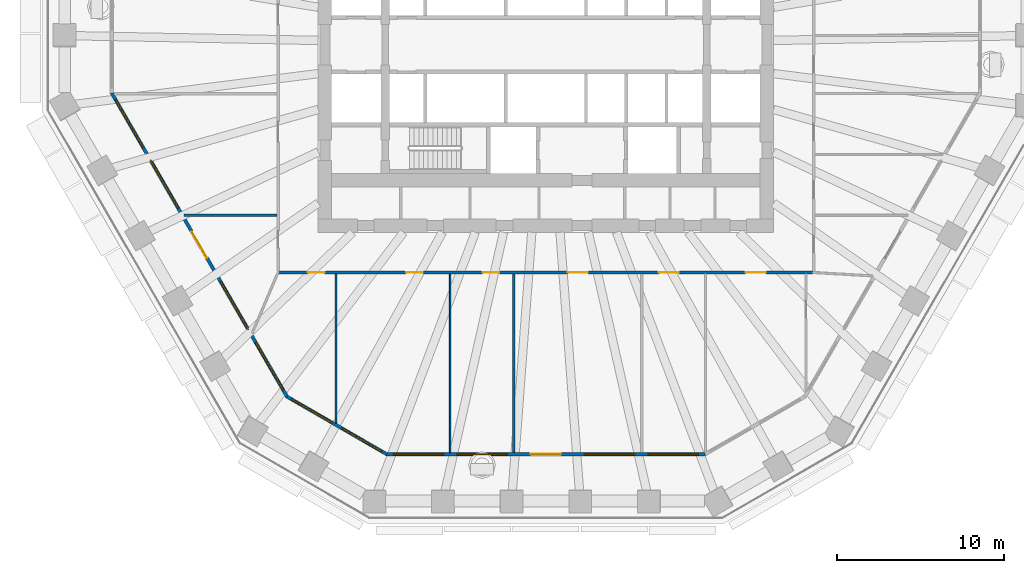
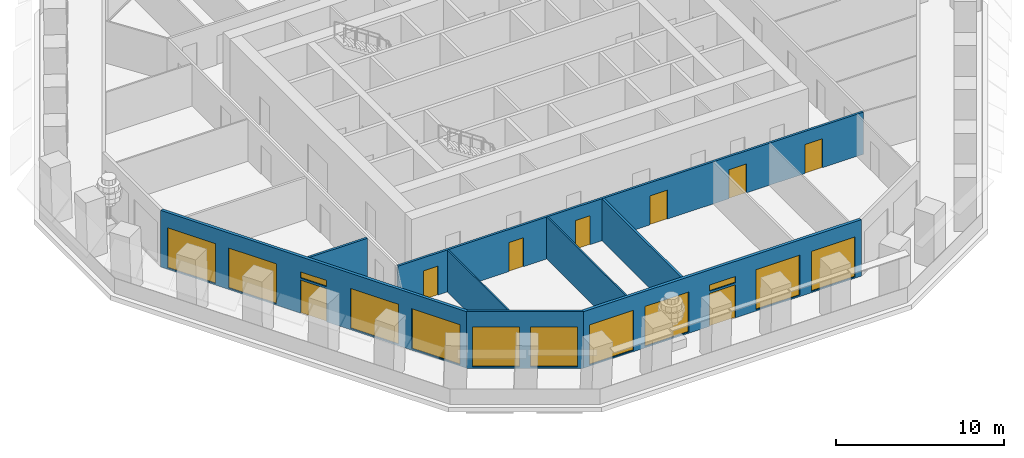
# One storey, part 3 of 13: 12 windows, 8 doors, 8 walls, 20 openings.
"""IFC4 building model written with IfcOpenShell, lengths in metres."""

from ifc_helpers import new_model, si_unit, direction, frame, frame_2d, origin, place, context, subcontext, project, spatial, polyline, rectangle, outline, extrude, material, layer, layer_set, type_object, element, fill, save


model = new_model("IFC4")

# Units and contexts
model_context = context("Model", 3, precision=1e-05, world=origin(), true_north=direction((0.0, 1.0)))
body_context = subcontext(model_context, "Body", "Model", "MODEL_VIEW")
ifc_project = project(units=[si_unit("LENGTHUNIT", "METRE"), si_unit("AREAUNIT", "SQUARE_METRE"), si_unit("VOLUMEUNIT", "CUBIC_METRE"), si_unit("PLANEANGLEUNIT", "RADIAN"), si_unit("MASSUNIT", "GRAM", prefix="KILO")], contexts=[model_context])

# Site, building, storey
site_placement = place(None, origin())
site = spatial("IfcSite", under=ifc_project, at=site_placement, CompositionType="ELEMENT")
building_placement = place(site_placement, origin())
building = spatial("IfcBuilding", under=site, at=building_placement, Name="Frailejon Research Tower", CompositionType="ELEMENT")
storey_placement = place(building_placement, frame((0.0, 0.0, 98.39990234375)))
storey = spatial("IfcBuildingStorey", under=building, at=storey_placement, Name="L21", CompositionType="ELEMENT", Elevation=98.39990234375)

# Wall, openings, doors
ifc_material_1 = material(Name="Gypsum board and masonry partition", Category="masonry")
ifc_layer_1 = layer(ifc_material_1, 0.14990234375)
ifc_layer_set_1 = layer_set([ifc_layer_1], Name="Corridor wall EI 60, gypsum on steel studs 150")
wall_type_1 = type_object("IfcWallType", Name="Corridor wall EI 60, gypsum on steel studs 150", PredefinedType="PARTITIONING", material=ifc_layer_set_1)
wall_1_placement = place(storey_placement, frame((-15.949951171875, -13.60009765625, 0.0), z_axis=(0.0, 0.0, 1.0), x_axis=(1.0, 0.0, 0.0)))
wall_1 = element("IfcWall", 1, at=wall_1_placement, inside=storey, type_object=wall_type_1, Name="T:IW:L21:004", PredefinedType="PARTITIONING", context=body_context, shape_type="SweptSolid", body=[
    extrude(rectangle(XDim=31.89990234375, YDim=0.14990234375, at=frame_2d((15.949951171875, 0.0))), origin(), (0.0, 0.0, 1.0), 3.050048828125),
])
opening_1_placement = place(wall_1_placement, frame((1.73779296875, 0.0, 0.0)))
opening_1 = element("IfcOpeningElement", 2, at=opening_1_placement, cuts=wall_1, Name="Opening D1564", PredefinedType="OPENING", context=body_context, shape_type="SweptSolid", body=[
    extrude(rectangle(XDim=1.0, YDim=2.10009765625, at=frame_2d((0.5, 1.050048828125))), frame((0.0, 0.0849609375, 0.0), z_axis=(0.0, -1.0, 0.0), x_axis=(1.0, 0.0, 0.0)), (0.0, 0.0, 1.0), 0.169921875),
])
opening_2_placement = place(wall_1_placement, frame((7.59912109375, 0.0, 0.0)))
opening_2 = element("IfcOpeningElement", 3, at=opening_2_placement, cuts=wall_1, Name="Opening D1565", PredefinedType="OPENING", context=body_context, shape_type="SweptSolid", body=[
    extrude(rectangle(XDim=1.0, YDim=2.10009765625, at=frame_2d((0.5, 1.050048828125))), frame((0.0, 0.0849609375, 0.0), z_axis=(0.0, -1.0, 0.0), x_axis=(1.0, 0.0, 0.0)), (0.0, 0.0, 1.0), 0.169921875),
])
opening_3_placement = place(wall_1_placement, frame((12.163818359375, 0.0, 0.0)))
opening_3 = element("IfcOpeningElement", 4, at=opening_3_placement, cuts=wall_1, Name="Opening D1566", PredefinedType="OPENING", context=body_context, shape_type="SweptSolid", body=[
    extrude(rectangle(XDim=1.0, YDim=2.10009765625, at=frame_2d((0.5, 1.050048828125))), frame((0.0, 0.0849609375, 0.0), z_axis=(0.0, -1.0, 0.0), x_axis=(1.0, 0.0, 0.0)), (0.0, 0.0, 1.0), 0.169921875),
])
opening_4_placement = place(wall_1_placement, frame((17.25732421875, 0.0, 0.0)))
opening_4 = element("IfcOpeningElement", 5, at=opening_4_placement, cuts=wall_1, Name="Opening D1567", PredefinedType="OPENING", context=body_context, shape_type="SweptSolid", body=[
    extrude(rectangle(XDim=1.199951171875, YDim=2.10009765625, at=frame_2d((0.60009765625, 1.050048828125))), frame((0.0, 0.0849609375, 0.0), z_axis=(0.0, -1.0, 0.0), x_axis=(1.0, 0.0, 0.0)), (0.0, 0.0, 1.0), 0.169921875),
])
opening_5_placement = place(wall_1_placement, frame((22.6923828125, 0.0, 0.0)))
opening_5 = element("IfcOpeningElement", 6, at=opening_5_placement, cuts=wall_1, Name="Opening D1568", PredefinedType="OPENING", context=body_context, shape_type="SweptSolid", body=[
    extrude(rectangle(XDim=1.199951171875, YDim=2.10009765625, at=frame_2d((0.60009765625, 1.050048828125))), frame((0.0, 0.0849609375, 0.0), z_axis=(0.0, -1.0, 0.0), x_axis=(1.0, 0.0, 0.0)), (0.0, 0.0, 1.0), 0.169921875),
])
opening_6_placement = place(wall_1_placement, frame((27.88720703125, 0.0, 0.0)))
opening_6 = element("IfcOpeningElement", 7, at=opening_6_placement, cuts=wall_1, Name="Opening D1569", PredefinedType="OPENING", context=body_context, shape_type="SweptSolid", body=[
    extrude(rectangle(XDim=1.199951171875, YDim=2.10009765625, at=frame_2d((0.60009765625, 1.050048828125))), frame((0.0, 0.0849609375, 0.0), z_axis=(0.0, -1.0, 0.0), x_axis=(1.0, 0.0, 0.0)), (0.0, 0.0, 1.0), 0.169921875),
])
ifc_material_2 = material(Name="Timber door leaf", Category="wood")
door_type_1 = type_object("IfcDoorType", Name="Door laboratory, timber, vision panel 1200", OperationType="NOTDEFINED", PredefinedType="DOOR", material=ifc_material_2)
door_1_placement = place(opening_4_placement, origin())
door_1 = element("IfcDoor", 8, at=door_1_placement, inside=storey, type_object=door_type_1, Name="D1567", OperationType="DOUBLE_DOOR_SINGLE_SWING", OverallHeight=2.10009765625, OverallWidth=1.199951171875, PredefinedType="DOOR", context=body_context, shape_type="SweptSolid", body=[
    extrude(rectangle(XDim=1.199951171875, YDim=2.10009765625, at=frame_2d((0.60009765625, 1.050048828125))), frame((0.0, 0.02490234375, 0.0), z_axis=(0.0, -1.0, 0.0), x_axis=(1.0, 0.0, 0.0)), (0.0, 0.0, 1.0), 0.050048828125),
])
fill(opening_4, door_1)
ifc_material_3 = material(Name="Timber door leaf", Category="wood")
door_type_2 = type_object("IfcDoorType", Name="Door single leaf, timber, steel frame 1000", OperationType="NOTDEFINED", PredefinedType="DOOR", material=ifc_material_3)
door_2_placement = place(opening_1_placement, origin())
door_2 = element("IfcDoor", 9, at=door_2_placement, inside=storey, type_object=door_type_2, Name="D1564", OperationType="SINGLE_SWING_LEFT", OverallHeight=2.10009765625, OverallWidth=1.0, PredefinedType="DOOR", context=body_context, shape_type="SweptSolid", body=[
    extrude(rectangle(XDim=1.0, YDim=2.10009765625, at=frame_2d((0.5, 1.050048828125))), frame((0.0, 0.02490234375, 0.0), z_axis=(0.0, -1.0, 0.0), x_axis=(1.0, 0.0, 0.0)), (0.0, 0.0, 1.0), 0.050048828125),
])
fill(opening_1, door_2)
door_3_placement = place(opening_2_placement, origin())
door_3 = element("IfcDoor", 10, at=door_3_placement, inside=storey, type_object=door_type_2, Name="D1565", OperationType="SINGLE_SWING_LEFT", OverallHeight=2.10009765625, OverallWidth=1.0, PredefinedType="DOOR", context=body_context, shape_type="SweptSolid", body=[
    extrude(rectangle(XDim=1.0, YDim=2.10009765625, at=frame_2d((0.5, 1.050048828125))), frame((0.0, 0.02490234375, 0.0), z_axis=(0.0, -1.0, 0.0), x_axis=(1.0, 0.0, 0.0)), (0.0, 0.0, 1.0), 0.050048828125),
])
fill(opening_2, door_3)
door_4_placement = place(opening_3_placement, origin())
door_4 = element("IfcDoor", 11, at=door_4_placement, inside=storey, type_object=door_type_2, Name="D1566", OperationType="SINGLE_SWING_RIGHT", OverallHeight=2.10009765625, OverallWidth=1.0, PredefinedType="DOOR", context=body_context, shape_type="SweptSolid", body=[
    extrude(rectangle(XDim=1.0, YDim=2.10009765625, at=frame_2d((0.5, 1.050048828125))), frame((0.0, 0.02490234375, 0.0), z_axis=(0.0, -1.0, 0.0), x_axis=(1.0, 0.0, 0.0)), (0.0, 0.0, 1.0), 0.050048828125),
])
fill(opening_3, door_4)
ifc_material_4 = material(Name="Timber door leaf", Category="wood")
door_type_3 = type_object("IfcDoorType", Name="Door single leaf, timber, steel frame 1200", OperationType="NOTDEFINED", PredefinedType="DOOR", material=ifc_material_4)
door_5_placement = place(opening_5_placement, origin())
door_5 = element("IfcDoor", 12, at=door_5_placement, inside=storey, type_object=door_type_3, Name="D1568", OperationType="DOUBLE_DOOR_SINGLE_SWING", OverallHeight=2.10009765625, OverallWidth=1.199951171875, PredefinedType="DOOR", context=body_context, shape_type="SweptSolid", body=[
    extrude(rectangle(XDim=1.199951171875, YDim=2.10009765625, at=frame_2d((0.60009765625, 1.050048828125))), frame((0.0, 0.02490234375, 0.0), z_axis=(0.0, -1.0, 0.0), x_axis=(1.0, 0.0, 0.0)), (0.0, 0.0, 1.0), 0.050048828125),
])
fill(opening_5, door_5)
door_6_placement = place(opening_6_placement, origin())
door_6 = element("IfcDoor", 13, at=door_6_placement, inside=storey, type_object=door_type_3, Name="D1569", OperationType="DOUBLE_DOOR_SINGLE_SWING", OverallHeight=2.10009765625, OverallWidth=1.199951171875, PredefinedType="DOOR", context=body_context, shape_type="SweptSolid", body=[
    extrude(rectangle(XDim=1.199951171875, YDim=2.10009765625, at=frame_2d((0.60009765625, 1.050048828125))), frame((0.0, 0.02490234375, 0.0), z_axis=(0.0, -1.0, 0.0), x_axis=(1.0, 0.0, 0.0)), (0.0, 0.0, 1.0), 0.050048828125),
])
fill(opening_6, door_6)

# Walls
ifc_material_5 = material(Name="Gypsum board and masonry partition", Category="masonry")
ifc_layer_2 = layer(ifc_material_5, 0.14990234375)
ifc_layer_set_2 = layer_set([ifc_layer_2], Name="Laboratory partition, blockwork 150")
wall_type_2 = type_object("IfcWallType", Name="Laboratory partition, blockwork 150", PredefinedType="PARTITIONING", material=ifc_layer_set_2)
wall_2_placement = place(storey_placement, frame((-21.603271484375, -10.18212890625, 0.0), z_axis=(0.0, 0.0, 1.0), x_axis=(1.0, 0.0, 0.0)))
element("IfcWall", 14, at=wall_2_placement, inside=storey, type_object=wall_type_2, Name="T:IW:L21:008", PredefinedType="PARTITIONING", context=body_context, shape_type="SweptSolid", body=[
    extrude(rectangle(XDim=5.5283203125, YDim=0.14990234375, at=frame_2d((2.76416015625, 0.0))), origin(), (0.0, 0.0, 1.0), 3.050048828125),
])
wall_3_placement = place(storey_placement, frame((-1.907470703125, -24.35302734375, 0.0), z_axis=(0.0, 0.0, 1.0), x_axis=(0.0, 1.0, 0.0)))
element("IfcWall", 15, at=wall_3_placement, inside=storey, type_object=wall_type_2, Name="T:IW:L21:009", PredefinedType="PARTITIONING", context=body_context, shape_type="SweptSolid", body=[
    extrude(rectangle(XDim=10.677978515625, YDim=0.14990234375, at=frame_2d((5.3388671875, 0.0))), origin(), (0.0, 0.0, 1.0), 3.050048828125),
])
ifc_material_6 = material(Name="Gypsum board and masonry partition", Category="masonry")
ifc_layer_3 = layer(ifc_material_6, 0.10009765625)
ifc_layer_set_3 = layer_set([ifc_layer_3], Name="Partition, gypsum on steel studs 100")
wall_type_3 = type_object("IfcWallType", Name="Partition, gypsum on steel studs 100", PredefinedType="PARTITIONING", material=ifc_layer_set_3)
wall_4_placement = place(storey_placement, frame((-12.537109375, -22.590087890625, 0.0), z_axis=(0.0, 0.0, 1.0), x_axis=(0.0, 1.0, 0.0)))
element("IfcWall", 16, at=wall_4_placement, inside=storey, type_object=wall_type_3, Name="T:IW:L21:021", PredefinedType="PARTITIONING", context=body_context, shape_type="SweptSolid", body=[
    extrude(rectangle(XDim=8.9150390625, YDim=0.10009765625, at=frame_2d((4.45751953125, 0.0))), origin(), (0.0, 0.0, 1.0), 3.050048828125),
])
wall_5_placement = place(storey_placement, frame((-5.72216796875, -24.35302734375, 0.0), z_axis=(0.0, 0.0, 1.0), x_axis=(0.0, 1.0, 0.0)))
element("IfcWall", 17, at=wall_5_placement, inside=storey, type_object=wall_type_3, Name="T:IW:L21:022", PredefinedType="PARTITIONING", context=body_context, shape_type="SweptSolid", body=[
    extrude(rectangle(XDim=10.677978515625, YDim=0.10009765625, at=frame_2d((5.3388671875, 0.0))), origin(), (0.0, 0.0, 1.0), 3.050048828125),
])

# Wall, openings, door, windows
ifc_material_7 = material(Name="Concrete C40/50 precast window wall panel", Category="concrete")
ifc_layer_4 = layer(ifc_material_7, 0.199951171875)
ifc_layer_set_4 = layer_set([ifc_layer_4], Name="Window wall 200")
wall_type_4 = type_object("IfcWallType", Name="Window wall 200", PredefinedType="SOLIDWALL", material=ifc_layer_set_4)
wall_6_placement = place(storey_placement, frame((-25.93212890625, -2.88427734375, 0.0), z_axis=(0.0, 0.0, 1.0), x_axis=(0.499999366442, -0.866025769569, 0.0)))
wall_6 = element("IfcWall", 18, at=wall_6_placement, inside=storey, type_object=wall_type_4, Name="Exterior wall L21", PredefinedType="SOLIDWALL", context=body_context, shape_type="SweptSolid", body=[
    extrude(outline(polyline([(-0.02685546875, -0.10009765625), (1.022705078125, -0.10009765625), (2.072265625, -0.10009765625), (3.12158203125, -0.10009765625), (4.171142578125, -0.10009765625), (5.220703125, -0.10009765625), (6.270263671875, -0.10009765625), (7.31982421875, -0.10009765625), (8.369140625, -0.10009765625), (9.418701171875, -0.10009765625), (10.46826171875, -0.10009765625), (11.517822265625, -0.10009765625), (12.5673828125, -0.10009765625), (13.61669921875, -0.10009765625), (14.666259765625, -0.10009765625), (15.7158203125, -0.10009765625), (16.765380859375, -0.10009765625), (17.81494140625, -0.10009765625), (18.8642578125, -0.10009765625), (19.913818359375, -0.10009765625), (20.96337890625, -0.10009765625), (20.90966796875, 0.10009765625), (19.865478515625, 0.10009765625), (18.8212890625, 0.10009765625), (17.77734375, 0.10009765625), (16.733154296875, 0.10009765625), (15.68896484375, 0.10009765625), (14.644775390625, 0.10009765625), (13.6005859375, 0.10009765625), (12.556640625, 0.10009765625), (11.512451171875, 0.10009765625), (10.46826171875, 0.10009765625), (9.424072265625, 0.10009765625), (8.3798828125, 0.10009765625), (7.3359375, 0.10009765625), (6.291748046875, 0.10009765625), (5.24755859375, 0.10009765625), (4.203369140625, 0.10009765625), (3.1591796875, 0.10009765625), (2.115234375, 0.10009765625), (1.071044921875, 0.10009765625), (0.02685546875, 0.10009765625), (-0.02685546875, -0.10009765625)])), origin(), (0.0, 0.0, 1.0), 4.10009765625),
])
opening_7_placement = place(wall_6_placement, frame((0.443603515625, 0.0, 0.10009765625)))
opening_7 = element("IfcOpeningElement", 19, at=opening_7_placement, cuts=wall_6, Name="Opening W5", PredefinedType="OPENING", context=body_context, shape_type="SweptSolid", body=[
    extrude(rectangle(XDim=3.300048828125, YDim=2.89990234375, at=frame_2d((1.64990234375, 1.449951171875))), frame((0.0, 0.10986328125, 0.0), z_axis=(0.0, -1.0, 0.0), x_axis=(1.0, 0.0, 0.0)), (0.0, 0.0, 1.0), 0.219970703125),
])
opening_8_placement = place(wall_6_placement, frame((4.631103515625, 0.0, 0.10009765625)))
opening_8 = element("IfcOpeningElement", 20, at=opening_8_placement, cuts=wall_6, Name="Opening W5", PredefinedType="OPENING", context=body_context, shape_type="SweptSolid", body=[
    extrude(rectangle(XDim=3.300048828125, YDim=2.89990234375, at=frame_2d((1.64990234375, 1.449951171875))), frame((0.0, 0.10986328125, 0.0), z_axis=(0.0, -1.0, 0.0), x_axis=(1.0, 0.0, 0.0)), (0.0, 0.0, 1.0), 0.219970703125),
])
opening_9_placement = place(wall_6_placement, frame((9.568359375, 0.0, 0.0)))
opening_9 = element("IfcOpeningElement", 21, at=opening_9_placement, cuts=wall_6, Name="Opening LG21-4", PredefinedType="OPENING", context=body_context, shape_type="SweptSolid", body=[
    extrude(rectangle(XDim=1.800048828125, YDim=2.39990234375, at=frame_2d((0.89990234375, 1.199951171875))), frame((0.0, 0.10986328125, 0.0), z_axis=(0.0, -1.0, 0.0), x_axis=(1.0, 0.0, 0.0)), (0.0, 0.0, 1.0), 0.219970703125),
])
opening_10_placement = place(wall_6_placement, frame((9.568359375, 0.0, 2.550048828125)))
opening_10 = element("IfcOpeningElement", 22, at=opening_10_placement, cuts=wall_6, Name="Opening W1", PredefinedType="OPENING", context=body_context, shape_type="SweptSolid", body=[
    extrude(rectangle(XDim=1.800048828125, YDim=0.449951171875, at=frame_2d((0.89990234375, 0.22509765625))), frame((0.0, 0.10986328125, 0.0), z_axis=(0.0, -1.0, 0.0), x_axis=(1.0, 0.0, 0.0)), (0.0, 0.0, 1.0), 0.219970703125),
])
opening_11_placement = place(wall_6_placement, frame((13.005615234375, 0.0, 0.10009765625)))
opening_11 = element("IfcOpeningElement", 23, at=opening_11_placement, cuts=wall_6, Name="Opening W5", PredefinedType="OPENING", context=body_context, shape_type="SweptSolid", body=[
    extrude(rectangle(XDim=3.300048828125, YDim=2.89990234375, at=frame_2d((1.64990234375, 1.449951171875))), frame((0.0, 0.10986328125, 0.0), z_axis=(0.0, -1.0, 0.0), x_axis=(1.0, 0.0, 0.0)), (0.0, 0.0, 1.0), 0.219970703125),
])
opening_12_placement = place(wall_6_placement, frame((17.19287109375, 0.0, 0.10009765625)))
opening_12 = element("IfcOpeningElement", 24, at=opening_12_placement, cuts=wall_6, Name="Opening W5", PredefinedType="OPENING", context=body_context, shape_type="SweptSolid", body=[
    extrude(rectangle(XDim=3.300048828125, YDim=2.89990234375, at=frame_2d((1.64990234375, 1.449951171875))), frame((0.0, 0.10986328125, 0.0), z_axis=(0.0, -1.0, 0.0), x_axis=(1.0, 0.0, 0.0)), (0.0, 0.0, 1.0), 0.219970703125),
])
ifc_material_8 = material(Name="Aluminium framed glazed door leaf", Category="aluminium")
door_type_4 = type_object("IfcDoorType", Name="Loggia door 1800x2400", OperationType="DOUBLE_DOOR_SINGLE_SWING", PredefinedType="DOOR", material=ifc_material_8)
door_7_placement = place(opening_9_placement, origin())
door_7 = element("IfcDoor", 25, at=door_7_placement, inside=storey, type_object=door_type_4, Name="Door LG21-4", OperationType="DOUBLE_DOOR_SINGLE_SWING", OverallHeight=2.39990234375, OverallWidth=1.800048828125, PredefinedType="DOOR", context=body_context, shape_type="SweptSolid", body=[
    extrude(rectangle(XDim=1.800048828125, YDim=2.39990234375, at=frame_2d((0.89990234375, 1.199951171875))), frame((0.0, 0.02490234375, 0.0), z_axis=(0.0, -1.0, 0.0), x_axis=(1.0, 0.0, 0.0)), (0.0, 0.0, 1.0), 0.050048828125),
])
fill(opening_9, door_7)
ifc_material_9 = material(Name="Aluminium framed double glazing", Category="aluminium")
window_type_1 = type_object("IfcWindowType", Name="Window 1800x450", PartitioningType="SINGLE_PANEL", PredefinedType="WINDOW", material=ifc_material_9)
window_1_placement = place(opening_10_placement, origin())
window_1 = element("IfcWindow", 26, at=window_1_placement, inside=storey, type_object=window_type_1, Name="Window L21", OverallHeight=0.449951171875, OverallWidth=1.800048828125, PartitioningType="SINGLE_PANEL", PredefinedType="WINDOW", context=body_context, shape_type="SweptSolid", body=[
    extrude(rectangle(XDim=1.800048828125, YDim=0.449951171875, at=frame_2d((0.89990234375, 0.22509765625))), frame((0.0, 0.030029296875, 0.0), z_axis=(0.0, -1.0, 0.0), x_axis=(1.0, 0.0, 0.0)), (0.0, 0.0, 1.0), 0.06005859375),
])
fill(opening_10, window_1)
ifc_material_10 = material(Name="Aluminium framed double glazing", Category="aluminium")
window_type_2 = type_object("IfcWindowType", Name="Window 3300x2900", PartitioningType="SINGLE_PANEL", PredefinedType="WINDOW", material=ifc_material_10)
window_2_placement = place(opening_7_placement, origin())
window_2 = element("IfcWindow", 27, at=window_2_placement, inside=storey, type_object=window_type_2, Name="Window L21", OverallHeight=2.89990234375, OverallWidth=3.300048828125, PartitioningType="SINGLE_PANEL", PredefinedType="WINDOW", context=body_context, shape_type="SweptSolid", body=[
    extrude(rectangle(XDim=3.300048828125, YDim=2.89990234375, at=frame_2d((1.64990234375, 1.449951171875))), frame((0.0, 0.030029296875, 0.0), z_axis=(0.0, -1.0, 0.0), x_axis=(1.0, 0.0, 0.0)), (0.0, 0.0, 1.0), 0.06005859375),
])
fill(opening_7, window_2)
window_3_placement = place(opening_8_placement, origin())
window_3 = element("IfcWindow", 28, at=window_3_placement, inside=storey, type_object=window_type_2, Name="Window L21", OverallHeight=2.89990234375, OverallWidth=3.300048828125, PartitioningType="SINGLE_PANEL", PredefinedType="WINDOW", context=body_context, shape_type="SweptSolid", body=[
    extrude(rectangle(XDim=3.300048828125, YDim=2.89990234375, at=frame_2d((1.64990234375, 1.449951171875))), frame((0.0, 0.030029296875, 0.0), z_axis=(0.0, -1.0, 0.0), x_axis=(1.0, 0.0, 0.0)), (0.0, 0.0, 1.0), 0.06005859375),
])
fill(opening_8, window_3)
window_4_placement = place(opening_11_placement, origin())
window_4 = element("IfcWindow", 29, at=window_4_placement, inside=storey, type_object=window_type_2, Name="Window L21", OverallHeight=2.89990234375, OverallWidth=3.300048828125, PartitioningType="SINGLE_PANEL", PredefinedType="WINDOW", context=body_context, shape_type="SweptSolid", body=[
    extrude(rectangle(XDim=3.300048828125, YDim=2.89990234375, at=frame_2d((1.64990234375, 1.449951171875))), frame((0.0, 0.030029296875, 0.0), z_axis=(0.0, -1.0, 0.0), x_axis=(1.0, 0.0, 0.0)), (0.0, 0.0, 1.0), 0.06005859375),
])
fill(opening_11, window_4)
window_5_placement = place(opening_12_placement, origin())
window_5 = element("IfcWindow", 30, at=window_5_placement, inside=storey, type_object=window_type_2, Name="Window L21", OverallHeight=2.89990234375, OverallWidth=3.300048828125, PartitioningType="SINGLE_PANEL", PredefinedType="WINDOW", context=body_context, shape_type="SweptSolid", body=[
    extrude(rectangle(XDim=3.300048828125, YDim=2.89990234375, at=frame_2d((1.64990234375, 1.449951171875))), frame((0.0, 0.030029296875, 0.0), z_axis=(0.0, -1.0, 0.0), x_axis=(1.0, 0.0, 0.0)), (0.0, 0.0, 1.0), 0.06005859375),
])
fill(opening_12, window_5)

# Wall, openings, windows
wall_7_placement = place(storey_placement, frame((-15.4638671875, -21.015869140625, 0.0), z_axis=(0.0, 0.0, 1.0), x_axis=(0.866029458321, -0.49999297727, 0.0)))
wall_7 = element("IfcWall", 31, at=wall_7_placement, inside=storey, type_object=wall_type_4, Name="Exterior wall L21", PredefinedType="SOLIDWALL", context=body_context, shape_type="SweptSolid", body=[
    extrude(outline(polyline([(-0.02685546875, -0.10009765625), (1.1279296875, -0.10009765625), (2.282470703125, -0.10009765625), (3.437255859375, -0.10009765625), (4.592041015625, -0.10009765625), (5.74658203125, -0.10009765625), (6.9013671875, -0.10009765625), (6.84765625, 0.10009765625), (5.7109375, 0.10009765625), (4.573974609375, 0.10009765625), (3.437255859375, 0.10009765625), (2.300537109375, 0.10009765625), (1.16357421875, 0.10009765625), (0.02685546875, 0.10009765625), (-0.02685546875, -0.10009765625)])), origin(), (0.0, 0.0, 1.0), 4.10009765625),
])
opening_13_placement = place(wall_7_placement, frame((0.318603515625, 0.0, 0.10009765625)))
opening_13 = element("IfcOpeningElement", 32, at=opening_13_placement, cuts=wall_7, Name="Opening W3", PredefinedType="OPENING", context=body_context, shape_type="SweptSolid", body=[
    extrude(rectangle(XDim=2.800048828125, YDim=2.89990234375, at=frame_2d((1.39990234375, 1.449951171875))), frame((0.0, 0.10986328125, 0.0), z_axis=(0.0, -1.0, 0.0), x_axis=(1.0, 0.0, 0.0)), (0.0, 0.0, 1.0), 0.219970703125),
])
opening_14_placement = place(wall_7_placement, frame((3.756103515625, 0.0, 0.10009765625)))
opening_14 = element("IfcOpeningElement", 33, at=opening_14_placement, cuts=wall_7, Name="Opening W3", PredefinedType="OPENING", context=body_context, shape_type="SweptSolid", body=[
    extrude(rectangle(XDim=2.800048828125, YDim=2.89990234375, at=frame_2d((1.39990234375, 1.449951171875))), frame((0.0, 0.10986328125, 0.0), z_axis=(0.0, -1.0, 0.0), x_axis=(1.0, 0.0, 0.0)), (0.0, 0.0, 1.0), 0.219970703125),
])
ifc_material_11 = material(Name="Aluminium framed double glazing", Category="aluminium")
window_type_3 = type_object("IfcWindowType", Name="Window 2800x2900", PartitioningType="SINGLE_PANEL", PredefinedType="WINDOW", material=ifc_material_11)
window_6_placement = place(opening_13_placement, origin())
window_6 = element("IfcWindow", 34, at=window_6_placement, inside=storey, type_object=window_type_3, Name="Window L21", OverallHeight=2.89990234375, OverallWidth=2.800048828125, PartitioningType="SINGLE_PANEL", PredefinedType="WINDOW", context=body_context, shape_type="SweptSolid", body=[
    extrude(rectangle(XDim=2.800048828125, YDim=2.89990234375, at=frame_2d((1.39990234375, 1.449951171875))), frame((0.0, 0.030029296875, 0.0), z_axis=(0.0, -1.0, 0.0), x_axis=(1.0, 0.0, 0.0)), (0.0, 0.0, 1.0), 0.06005859375),
])
fill(opening_13, window_6)
window_7_placement = place(opening_14_placement, origin())
window_7 = element("IfcWindow", 35, at=window_7_placement, inside=storey, type_object=window_type_3, Name="Window L21", OverallHeight=2.89990234375, OverallWidth=2.800048828125, PartitioningType="SINGLE_PANEL", PredefinedType="WINDOW", context=body_context, shape_type="SweptSolid", body=[
    extrude(rectangle(XDim=2.800048828125, YDim=2.89990234375, at=frame_2d((1.39990234375, 1.449951171875))), frame((0.0, 0.030029296875, 0.0), z_axis=(0.0, -1.0, 0.0), x_axis=(1.0, 0.0, 0.0)), (0.0, 0.0, 1.0), 0.06005859375),
])
fill(opening_14, window_7)

# Wall, openings, door, windows
wall_8_placement = place(storey_placement, frame((-9.51025390625, -24.453125, 0.0), z_axis=(0.0, 0.0, 1.0), x_axis=(1.0, 0.0, 0.0)))
wall_8 = element("IfcWall", 36, at=wall_8_placement, inside=storey, type_object=wall_type_4, Name="Exterior wall L21", PredefinedType="SOLIDWALL", context=body_context, shape_type="SweptSolid", body=[
    extrude(outline(polyline([(-0.02685546875, -0.10009765625), (0.97705078125, -0.10009765625), (1.98095703125, -0.10009765625), (2.98486328125, -0.10009765625), (3.98876953125, -0.10009765625), (4.99267578125, -0.10009765625), (5.99658203125, -0.10009765625), (7.00048828125, -0.10009765625), (8.00439453125, -0.10009765625), (9.00830078125, -0.10009765625), (10.01220703125, -0.10009765625), (11.01611328125, -0.10009765625), (12.02001953125, -0.10009765625), (13.02392578125, -0.10009765625), (14.02783203125, -0.10009765625), (15.03173828125, -0.10009765625), (16.03564453125, -0.10009765625), (17.03955078125, -0.10009765625), (18.04345703125, -0.10009765625), (19.04736328125, -0.10009765625), (18.99365234375, 0.10009765625), (17.995361328125, 0.10009765625), (16.9970703125, 0.10009765625), (15.998779296875, 0.10009765625), (15.000732421875, 0.10009765625), (14.00244140625, 0.10009765625), (13.004150390625, 0.10009765625), (12.005859375, 0.10009765625), (11.007568359375, 0.10009765625), (10.00927734375, 0.10009765625), (9.01123046875, 0.10009765625), (8.012939453125, 0.10009765625), (7.0146484375, 0.10009765625), (6.016357421875, 0.10009765625), (5.01806640625, 0.10009765625), (4.019775390625, 0.10009765625), (3.021728515625, 0.10009765625), (2.0234375, 0.10009765625), (1.025146484375, 0.10009765625), (0.02685546875, 0.10009765625), (-0.02685546875, -0.10009765625)])), origin(), (0.0, 0.0, 1.0), 4.10009765625),
])
opening_15_placement = place(wall_8_placement, frame((0.402099609375, 0.0, 0.10009765625)))
opening_15 = element("IfcOpeningElement", 37, at=opening_15_placement, cuts=wall_8, Name="Opening W4", PredefinedType="OPENING", context=body_context, shape_type="SweptSolid", body=[
    extrude(rectangle(XDim=3.0, YDim=2.89990234375, at=frame_2d((1.5, 1.449951171875))), frame((0.0, 0.10986328125, 0.0), z_axis=(0.0, -1.0, 0.0), x_axis=(1.0, 0.0, 0.0)), (0.0, 0.0, 1.0), 0.219970703125),
])
opening_16_placement = place(wall_8_placement, frame((4.206298828125, 0.0, 0.10009765625)))
opening_16 = element("IfcOpeningElement", 38, at=opening_16_placement, cuts=wall_8, Name="Opening W4", PredefinedType="OPENING", context=body_context, shape_type="SweptSolid", body=[
    extrude(rectangle(XDim=3.0, YDim=2.89990234375, at=frame_2d((1.5, 1.449951171875))), frame((0.0, 0.10986328125, 0.0), z_axis=(0.0, -1.0, 0.0), x_axis=(1.0, 0.0, 0.0)), (0.0, 0.0, 1.0), 0.219970703125),
])
opening_17_placement = place(wall_8_placement, frame((8.6103515625, 0.0, 0.0)))
opening_17 = element("IfcOpeningElement", 39, at=opening_17_placement, cuts=wall_8, Name="Opening LG21-5", PredefinedType="OPENING", context=body_context, shape_type="SweptSolid", body=[
    extrude(rectangle(XDim=1.800048828125, YDim=2.39990234375, at=frame_2d((0.89990234375, 1.199951171875))), frame((0.0, 0.10986328125, 0.0), z_axis=(0.0, -1.0, 0.0), x_axis=(1.0, 0.0, 0.0)), (0.0, 0.0, 1.0), 0.219970703125),
])
opening_18_placement = place(wall_8_placement, frame((8.6103515625, 0.0, 2.550048828125)))
opening_18 = element("IfcOpeningElement", 40, at=opening_18_placement, cuts=wall_8, Name="Opening W1", PredefinedType="OPENING", context=body_context, shape_type="SweptSolid", body=[
    extrude(rectangle(XDim=1.800048828125, YDim=0.449951171875, at=frame_2d((0.89990234375, 0.22509765625))), frame((0.0, 0.10986328125, 0.0), z_axis=(0.0, -1.0, 0.0), x_axis=(1.0, 0.0, 0.0)), (0.0, 0.0, 1.0), 0.219970703125),
])
opening_19_placement = place(wall_8_placement, frame((11.814453125, 0.0, 0.10009765625)))
opening_19 = element("IfcOpeningElement", 41, at=opening_19_placement, cuts=wall_8, Name="Opening W4", PredefinedType="OPENING", context=body_context, shape_type="SweptSolid", body=[
    extrude(rectangle(XDim=3.0, YDim=2.89990234375, at=frame_2d((1.5, 1.449951171875))), frame((0.0, 0.10986328125, 0.0), z_axis=(0.0, -1.0, 0.0), x_axis=(1.0, 0.0, 0.0)), (0.0, 0.0, 1.0), 0.219970703125),
])
opening_20_placement = place(wall_8_placement, frame((15.618408203125, 0.0, 0.10009765625)))
opening_20 = element("IfcOpeningElement", 42, at=opening_20_placement, cuts=wall_8, Name="Opening W4", PredefinedType="OPENING", context=body_context, shape_type="SweptSolid", body=[
    extrude(rectangle(XDim=3.0, YDim=2.89990234375, at=frame_2d((1.5, 1.449951171875))), frame((0.0, 0.10986328125, 0.0), z_axis=(0.0, -1.0, 0.0), x_axis=(1.0, 0.0, 0.0)), (0.0, 0.0, 1.0), 0.219970703125),
])
door_8_placement = place(opening_17_placement, origin())
door_8 = element("IfcDoor", 43, at=door_8_placement, inside=storey, type_object=door_type_4, Name="Door LG21-5", OperationType="DOUBLE_DOOR_SINGLE_SWING", OverallHeight=2.39990234375, OverallWidth=1.800048828125, PredefinedType="DOOR", context=body_context, shape_type="SweptSolid", body=[
    extrude(rectangle(XDim=1.800048828125, YDim=2.39990234375, at=frame_2d((0.89990234375, 1.199951171875))), frame((0.0, 0.02490234375, 0.0), z_axis=(0.0, -1.0, 0.0), x_axis=(1.0, 0.0, 0.0)), (0.0, 0.0, 1.0), 0.050048828125),
])
fill(opening_17, door_8)
window_8_placement = place(opening_18_placement, origin())
window_8 = element("IfcWindow", 44, at=window_8_placement, inside=storey, type_object=window_type_1, Name="Window L21", OverallHeight=0.449951171875, OverallWidth=1.800048828125, PartitioningType="SINGLE_PANEL", PredefinedType="WINDOW", context=body_context, shape_type="SweptSolid", body=[
    extrude(rectangle(XDim=1.800048828125, YDim=0.449951171875, at=frame_2d((0.89990234375, 0.22509765625))), frame((0.0, 0.030029296875, 0.0), z_axis=(0.0, -1.0, 0.0), x_axis=(1.0, 0.0, 0.0)), (0.0, 0.0, 1.0), 0.06005859375),
])
fill(opening_18, window_8)
ifc_material_12 = material(Name="Aluminium framed double glazing", Category="aluminium")
window_type_4 = type_object("IfcWindowType", Name="Window 3000x2900", PartitioningType="SINGLE_PANEL", PredefinedType="WINDOW", material=ifc_material_12)
window_9_placement = place(opening_15_placement, origin())
window_9 = element("IfcWindow", 45, at=window_9_placement, inside=storey, type_object=window_type_4, Name="Window L21", OverallHeight=2.89990234375, OverallWidth=3.0, PartitioningType="SINGLE_PANEL", PredefinedType="WINDOW", context=body_context, shape_type="SweptSolid", body=[
    extrude(rectangle(XDim=3.0, YDim=2.89990234375, at=frame_2d((1.5, 1.449951171875))), frame((0.0, 0.030029296875, 0.0), z_axis=(0.0, -1.0, 0.0), x_axis=(1.0, 0.0, 0.0)), (0.0, 0.0, 1.0), 0.06005859375),
])
fill(opening_15, window_9)
window_10_placement = place(opening_16_placement, origin())
window_10 = element("IfcWindow", 46, at=window_10_placement, inside=storey, type_object=window_type_4, Name="Window L21", OverallHeight=2.89990234375, OverallWidth=3.0, PartitioningType="SINGLE_PANEL", PredefinedType="WINDOW", context=body_context, shape_type="SweptSolid", body=[
    extrude(rectangle(XDim=3.0, YDim=2.89990234375, at=frame_2d((1.5, 1.449951171875))), frame((0.0, 0.030029296875, 0.0), z_axis=(0.0, -1.0, 0.0), x_axis=(1.0, 0.0, 0.0)), (0.0, 0.0, 1.0), 0.06005859375),
])
fill(opening_16, window_10)
window_11_placement = place(opening_19_placement, origin())
window_11 = element("IfcWindow", 47, at=window_11_placement, inside=storey, type_object=window_type_4, Name="Window L21", OverallHeight=2.89990234375, OverallWidth=3.0, PartitioningType="SINGLE_PANEL", PredefinedType="WINDOW", context=body_context, shape_type="SweptSolid", body=[
    extrude(rectangle(XDim=3.0, YDim=2.89990234375, at=frame_2d((1.5, 1.449951171875))), frame((0.0, 0.030029296875, 0.0), z_axis=(0.0, -1.0, 0.0), x_axis=(1.0, 0.0, 0.0)), (0.0, 0.0, 1.0), 0.06005859375),
])
fill(opening_19, window_11)
window_12_placement = place(opening_20_placement, origin())
window_12 = element("IfcWindow", 48, at=window_12_placement, inside=storey, type_object=window_type_4, Name="Window L21", OverallHeight=2.89990234375, OverallWidth=3.0, PartitioningType="SINGLE_PANEL", PredefinedType="WINDOW", context=body_context, shape_type="SweptSolid", body=[
    extrude(rectangle(XDim=3.0, YDim=2.89990234375, at=frame_2d((1.5, 1.449951171875))), frame((0.0, 0.030029296875, 0.0), z_axis=(0.0, -1.0, 0.0), x_axis=(1.0, 0.0, 0.0)), (0.0, 0.0, 1.0), 0.06005859375),
])
fill(opening_20, window_12)

save(model, "model.ifc")
